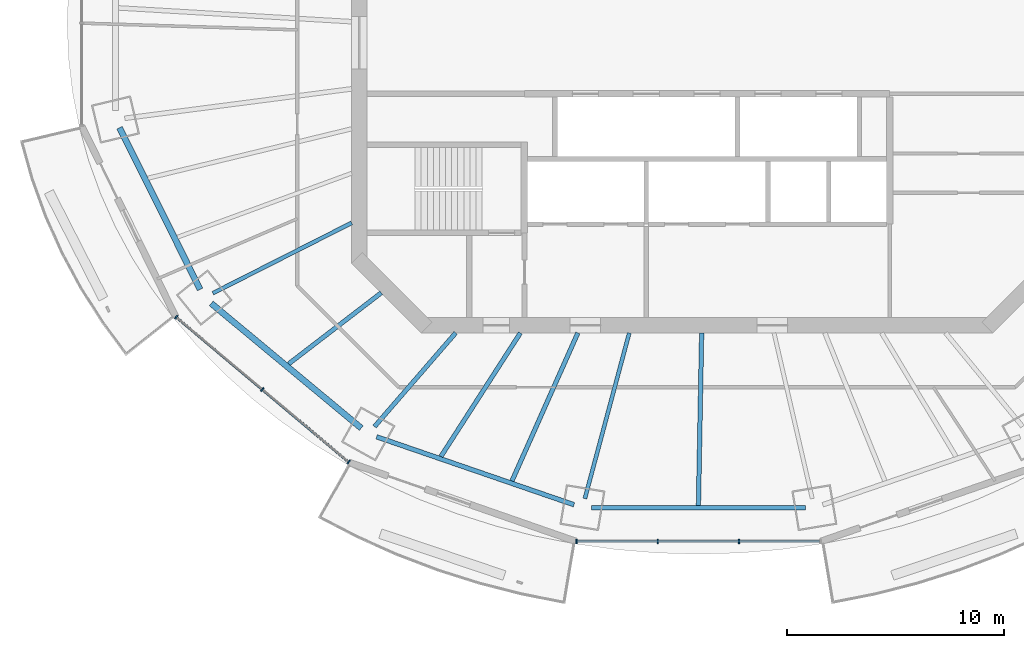
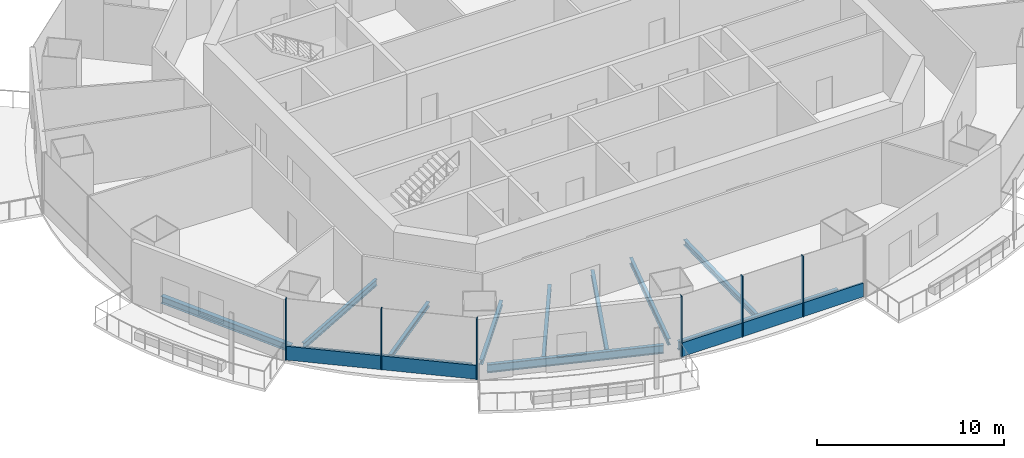
# One storey, part 2 of 16: 11 beams, 8 members, 2 elements without a shape of their own.
"""IFC4 building model written with IfcOpenShell, lengths in metres."""

from ifc_helpers import new_model, si_unit, direction, frame, origin, origin_2d, place, context, subcontext, project, spatial, rectangle, i_section, extrude, material, material_profile, profile_set, type_object, element, aggregate, save


model = new_model("IFC4")

# Units and contexts
model_context = context("Model", 3, precision=1e-05, world=origin(), true_north=direction((0.0, 1.0)))
body_context = subcontext(model_context, "Body", "Model", "MODEL_VIEW")
ifc_project = project(units=[si_unit("LENGTHUNIT", "METRE"), si_unit("AREAUNIT", "SQUARE_METRE"), si_unit("VOLUMEUNIT", "CUBIC_METRE"), si_unit("PLANEANGLEUNIT", "RADIAN"), si_unit("MASSUNIT", "GRAM", prefix="KILO")], contexts=[model_context])

# Site, building, storey
site_placement = place(None, origin())
site = spatial("IfcSite", under=ifc_project, at=site_placement, CompositionType="ELEMENT")
building_placement = place(site_placement, origin())
building = spatial("IfcBuilding", under=site, at=building_placement, Name="Marenthal Gate Tower", CompositionType="ELEMENT")
storey_placement = place(building_placement, frame((0.0, 0.0, 292.800048828125)))
storey = spatial("IfcBuildingStorey", under=building, at=storey_placement, Name="L65", CompositionType="ELEMENT", Elevation=292.800048828125)

# Curtain wall, members
ifc_material_1 = material(Name="Aluminium and glass", Category="aluminium")
curtain_wall_type = type_object("IfcCurtainWallType", Name="Curtain wall typical high", PredefinedType="NOTDEFINED", material=ifc_material_1)
curtain_wall_1_placement = place(storey_placement, origin())
curtain_wall_1 = element("IfcCurtainWall", 1, at=curtain_wall_1_placement, inside=storey, type_object=curtain_wall_type, Name="Curtain wall L65 bay 10", PredefinedType="NOTDEFINED")
ifc_material_2 = material(Name="Aluminium", Category="aluminium")
ifc_material_profile_1 = material_profile(ifc_material_2, rectangle(XDim=0.199951171875, YDim=0.06005859375, at=origin_2d()), Name="60x200 aluminium mullion")
ifc_profile_set_1 = profile_set([ifc_material_profile_1], Name="Aluminium")
member_type_1 = type_object("IfcMemberType", Name="Mullion 60x200 typical high", PredefinedType="MULLION", material=ifc_profile_set_1)
member_1_placement = place(storey_placement, frame((-24.42138671875, -12.621337890625, 0.0), z_axis=(0.0, 0.0, 1.0), x_axis=(0.643380191367, 0.76554681722, 0.0)))
member_1 = element("IfcMember", 2, at=member_1_placement, type_object=member_type_1, Name="Mullion L65 bay 10.1", PredefinedType="MULLION", context=body_context, shape_type="SweptSolid", body=[
    extrude(rectangle(XDim=0.199951171875, YDim=0.06005859375, at=origin_2d()), origin(), (0.0, 0.0, 1.0), 3.969970703125),
])
member_2_placement = place(storey_placement, frame((-20.455322265625, -15.95458984375, 0.0), z_axis=(0.0, 0.0, 1.0), x_axis=(0.643380191367, 0.76554681722, 0.0)))
member_2 = element("IfcMember", 3, at=member_2_placement, type_object=member_type_1, Name="Mullion L65 bay 10.2", PredefinedType="MULLION", context=body_context, shape_type="SweptSolid", body=[
    extrude(rectangle(XDim=0.199951171875, YDim=0.06005859375, at=origin_2d()), origin(), (0.0, 0.0, 1.0), 3.969970703125),
])
member_3_placement = place(storey_placement, frame((-16.489013671875, -19.287841796875, 0.0), z_axis=(0.0, 0.0, 1.0), x_axis=(0.643380191367, 0.76554681722, 0.0)))
member_3 = element("IfcMember", 4, at=member_3_placement, type_object=member_type_1, Name="Mullion L65 bay 10.3", PredefinedType="MULLION", context=body_context, shape_type="SweptSolid", body=[
    extrude(rectangle(XDim=0.199951171875, YDim=0.06005859375, at=origin_2d()), origin(), (0.0, 0.0, 1.0), 3.969970703125),
])

curtain_wall_2_placement = place(storey_placement, origin())
curtain_wall_2 = element("IfcCurtainWall", 5, at=curtain_wall_2_placement, inside=storey, type_object=curtain_wall_type, Name="Curtain wall L65 bay 12", PredefinedType="NOTDEFINED")
member_4_placement = place(storey_placement, frame((-6.01171875, -22.93603515625, 0.0), z_axis=(0.0, 0.0, 1.0), x_axis=(0.0, 1.0, 0.0)))
member_4 = element("IfcMember", 6, at=member_4_placement, type_object=member_type_1, Name="Mullion L65 bay 12.1", PredefinedType="MULLION", context=body_context, shape_type="SweptSolid", body=[
    extrude(rectangle(XDim=0.199951171875, YDim=0.06005859375, at=origin_2d()), origin(), (0.0, 0.0, 1.0), 3.969970703125),
])
member_5_placement = place(storey_placement, frame((-2.2705078125, -22.93603515625, 0.0), z_axis=(0.0, 0.0, 1.0), x_axis=(0.0, 1.0, 0.0)))
member_5 = element("IfcMember", 7, at=member_5_placement, type_object=member_type_1, Name="Mullion L65 bay 12.2", PredefinedType="MULLION", context=body_context, shape_type="SweptSolid", body=[
    extrude(rectangle(XDim=0.199951171875, YDim=0.06005859375, at=origin_2d()), origin(), (0.0, 0.0, 1.0), 3.969970703125),
])
member_6_placement = place(storey_placement, frame((1.470458984375, -22.93603515625, 0.0), z_axis=(0.0, 0.0, 1.0), x_axis=(0.0, 1.0, 0.0)))
member_6 = element("IfcMember", 8, at=member_6_placement, type_object=member_type_1, Name="Mullion L65 bay 12.3", PredefinedType="MULLION", context=body_context, shape_type="SweptSolid", body=[
    extrude(rectangle(XDim=0.199951171875, YDim=0.06005859375, at=origin_2d()), origin(), (0.0, 0.0, 1.0), 3.969970703125),
])

# Member
ifc_material_3 = material(Name="Aluminium", Category="aluminium")
ifc_material_profile_2 = material_profile(ifc_material_3, rectangle(XDim=0.1201171875, YDim=0.89990234375, at=origin_2d()), Name="120x900 aluminium transom")
ifc_profile_set_2 = profile_set([ifc_material_profile_2], Name="Aluminium")
member_type_2 = type_object("IfcMemberType", Name="Transom 120x900 typical high", PredefinedType="USERDEFINED", material=ifc_profile_set_2)
member_7_placement = place(storey_placement, frame((-24.3984375, -12.640625, 0.449951171875), z_axis=(0.765547508353, -0.643379368999, 0.0), x_axis=(0.643379368999, 0.765547508353, 0.0)))
member_7 = element("IfcMember", 9, at=member_7_placement, type_object=member_type_2, Name="Transom L65 bay 10", ObjectType="TRANSOM", PredefinedType="USERDEFINED", context=body_context, shape_type="SweptSolid", body=[
    extrude(rectangle(XDim=0.1201171875, YDim=0.89990234375, at=origin_2d()), origin(), (0.0, 0.0, 1.0), 10.3017578125),
])

aggregate(curtain_wall_1, [member_1, member_2, member_3, member_7])

member_8_placement = place(storey_placement, frame((-5.981689453125, -22.93603515625, 0.449951171875), z_axis=(1.0, 0.0, 0.0), x_axis=(0.0, 1.0, 0.0)))
member_8 = element("IfcMember", 10, at=member_8_placement, type_object=member_type_2, Name="Transom L65 bay 12", ObjectType="TRANSOM", PredefinedType="USERDEFINED", context=body_context, shape_type="SweptSolid", body=[
    extrude(rectangle(XDim=0.1201171875, YDim=0.89990234375, at=origin_2d()), origin(), (0.0, 0.0, 1.0), 11.163330078125),
])

aggregate(curtain_wall_2, [member_4, member_5, member_6, member_8])

# Beams
ifc_material_4 = material(Name="Steel S355", Category="steel")
ifc_material_profile_3 = material_profile(ifc_material_4, i_section(OverallWidth=0.202880859375, OverallDepth=0.302001953125, WebThickness=0.007568359375, FlangeThickness=0.01318359375, FilletRadius=0.0126953125, at=origin_2d()), Name="W310X60")
ifc_profile_set_3 = profile_set([ifc_material_profile_3], Name="Steel S355")
beam_type_1 = type_object("IfcBeamType", Name="W310X60 beam", PredefinedType="BEAM", material=ifc_profile_set_3)
beam_1_placement = place(storey_placement, frame((-19.24609375, -14.771728515625, -0.3310546875), z_axis=(0.793283258517, 0.608852750471, 0.0), x_axis=(-0.608852750471, 0.793283258517, 0.0)))
element("IfcBeam", 11, at=beam_1_placement, inside=storey, type_object=beam_type_1, Name="BM-L65-31", PredefinedType="BEAM", context=body_context, shape_type="SweptSolid", body=[
    extrude(i_section(OverallWidth=0.202880859375, OverallDepth=0.302001953125, WebThickness=0.007568359375, FlangeThickness=0.01318359375, FilletRadius=0.0126953125, at=origin_2d()), origin(), (0.0, 0.0, 1.0), 5.365234375),
])
ifc_material_5 = material(Name="Steel S355", Category="steel")
ifc_material_profile_4 = material_profile(ifc_material_5, i_section(OverallWidth=0.205078125, OverallDepth=0.31005859375, WebThickness=0.009521484375, FlangeThickness=0.016357421875, FilletRadius=0.0126953125, at=origin_2d()), Name="W310X74")
ifc_profile_set_4 = profile_set([ifc_material_profile_4], Name="Steel S355")
beam_type_2 = type_object("IfcBeamType", Name="W310X74 beam", PredefinedType="BEAM", material=ifc_profile_set_4)
beam_2_placement = place(storey_placement, frame((-15.296630859375, -17.656982421875, -0.3349609375), z_axis=(0.654786987861, 0.755813469401, 0.0), x_axis=(-0.755813469401, 0.654786987861, 0.0)))
element("IfcBeam", 12, at=beam_2_placement, inside=storey, type_object=beam_type_2, Name="BM-L65-11", PredefinedType="BEAM", context=body_context, shape_type="SweptSolid", body=[
    extrude(i_section(OverallWidth=0.205078125, OverallDepth=0.31005859375, WebThickness=0.009521484375, FlangeThickness=0.016357421875, FilletRadius=0.0126953125, at=origin_2d()), origin(), (0.0, 0.0, 1.0), 5.6982421875),
])
beam_3_placement = place(storey_placement, frame((-12.244140625, -19.03271484375, -0.3349609375), z_axis=(0.541035136328, 0.840999988858, 0.0), x_axis=(-0.840999988858, 0.541035136328, 0.0)))
element("IfcBeam", 13, at=beam_3_placement, inside=storey, type_object=beam_type_2, Name="BM-L65-32", PredefinedType="BEAM", context=body_context, shape_type="SweptSolid", body=[
    extrude(i_section(OverallWidth=0.205078125, OverallDepth=0.31005859375, WebThickness=0.009521484375, FlangeThickness=0.016357421875, FilletRadius=0.0126953125, at=origin_2d()), origin(), (0.0, 0.0, 1.0), 6.757080078125),
])
ifc_material_6 = material(Name="Steel S355", Category="steel")
ifc_material_profile_5 = material_profile(ifc_material_6, i_section(OverallWidth=0.205078125, OverallDepth=0.35302734375, WebThickness=0.009521484375, FlangeThickness=0.016845703125, FilletRadius=0.014892578125, at=origin_2d()), Name="W360X79")
ifc_profile_set_5 = profile_set([ifc_material_profile_5], Name="Steel S355")
beam_type_3 = type_object("IfcBeamType", Name="W360X79 beam", PredefinedType="BEAM", material=ifc_profile_set_5)
beam_4_placement = place(storey_placement, frame((-8.97509765625, -20.158203125, -0.3564453125), z_axis=(0.406746290915, 0.913541162087, 0.0), x_axis=(-0.913541162087, 0.406746290915, 0.0)))
element("IfcBeam", 14, at=beam_4_placement, inside=storey, type_object=beam_type_3, Name="BM-L65-33", PredefinedType="BEAM", context=body_context, shape_type="SweptSolid", body=[
    extrude(i_section(OverallWidth=0.205078125, OverallDepth=0.35302734375, WebThickness=0.009521484375, FlangeThickness=0.016845703125, FilletRadius=0.014892578125, at=origin_2d()), origin(), (0.0, 0.0, 1.0), 7.452392578125),
])
beam_5_placement = place(storey_placement, frame((-0.39794921875, -21.280517578125, -0.3564453125), z_axis=(0.018683435883, 0.999825449378, 0.0), x_axis=(-0.999825449378, 0.018683435883, 0.0)))
element("IfcBeam", 15, at=beam_5_placement, inside=storey, type_object=beam_type_3, Name="BM-L65-34", PredefinedType="BEAM", context=body_context, shape_type="SweptSolid", body=[
    extrude(i_section(OverallWidth=0.205078125, OverallDepth=0.35302734375, WebThickness=0.009521484375, FlangeThickness=0.016845703125, FilletRadius=0.014892578125, at=origin_2d()), origin(), (0.0, 0.0, 1.0), 7.931884765625),
])
ifc_material_7 = material(Name="Steel S355", Category="steel")
ifc_material_profile_6 = material_profile(ifc_material_7, i_section(OverallWidth=0.180908203125, OverallDepth=0.4169921875, WebThickness=0.010986328125, FlangeThickness=0.018310546875, FilletRadius=0.01025390625, at=origin_2d()), Name="W410X85")
ifc_profile_set_6 = profile_set([ifc_material_profile_6], Name="Steel S355")
beam_type_4 = type_object("IfcBeamType", Name="W410X85 beam", PredefinedType="BEAM", material=ifc_profile_set_6)
beam_6_placement = place(storey_placement, frame((-22.7333984375, -11.52294921875, -0.388427734375), z_axis=(0.891957457123, 0.452119336772, 0.0), x_axis=(-0.452119336772, 0.891957457123, 0.0)))
element("IfcBeam", 16, at=beam_6_placement, inside=storey, type_object=beam_type_4, Name="BM-L65-10", PredefinedType="BEAM", context=body_context, shape_type="SweptSolid", body=[
    extrude(i_section(OverallWidth=0.180908203125, OverallDepth=0.4169921875, WebThickness=0.010986328125, FlangeThickness=0.018310546875, FilletRadius=0.01025390625, at=origin_2d()), origin(), (0.0, 0.0, 1.0), 7.156494140625),
])
beam_7_placement = place(storey_placement, frame((-5.622314453125, -20.971435546875, -0.388427734375), z_axis=(0.258946932177, 0.965891549977, 0.0), x_axis=(-0.965891549977, 0.258946932177, 0.0)))
element("IfcBeam", 17, at=beam_7_placement, inside=storey, type_object=beam_type_4, Name="BM-L65-12", PredefinedType="BEAM", context=body_context, shape_type="SweptSolid", body=[
    extrude(i_section(OverallWidth=0.180908203125, OverallDepth=0.4169921875, WebThickness=0.010986328125, FlangeThickness=0.018310546875, FilletRadius=0.01025390625, at=origin_2d()), origin(), (0.0, 0.0, 1.0), 7.890380859375),
])
ifc_material_8 = material(Name="Steel S355", Category="steel")
ifc_material_profile_7 = material_profile(ifc_material_8, i_section(OverallWidth=0.279052734375, OverallDepth=0.4619140625, WebThickness=0.0107421875, FlangeThickness=0.017333984375, FilletRadius=0.010009765625, at=origin_2d()), Name="W460X113")
ifc_profile_set_7 = profile_set([ifc_material_profile_7], Name="Steel S355")
beam_type_5 = type_object("IfcBeamType", Name="W460X113 beam", PredefinedType="BEAM", material=ifc_profile_set_7)
beam_8_placement = place(storey_placement, frame((-27.023681640625, -3.912353515625, -0.4111328125), z_axis=(0.446025836929, -0.895020085133, 0.0), x_axis=(0.895020085133, 0.446025836929, 0.0)))
element("IfcBeam", 18, at=beam_8_placement, inside=storey, type_object=beam_type_5, Name="BM-L65-49", PredefinedType="BEAM", context=body_context, shape_type="SweptSolid", body=[
    extrude(i_section(OverallWidth=0.279052734375, OverallDepth=0.4619140625, WebThickness=0.0107421875, FlangeThickness=0.017333984375, FilletRadius=0.010009765625, at=origin_2d()), origin(), (0.0, 0.0, 1.0), 8.306884765625),
])
beam_9_placement = place(storey_placement, frame((-22.80908203125, -11.99169921875, -0.4111328125), z_axis=(0.769034611426, -0.639207138906, 0.0), x_axis=(0.639207138906, 0.769034611426, 0.0)))
element("IfcBeam", 19, at=beam_9_placement, inside=storey, type_object=beam_type_5, Name="BM-L65-50", PredefinedType="BEAM", context=body_context, shape_type="SweptSolid", body=[
    extrude(i_section(OverallWidth=0.279052734375, OverallDepth=0.4619140625, WebThickness=0.0107421875, FlangeThickness=0.017333984375, FilletRadius=0.010009765625, at=origin_2d()), origin(), (0.0, 0.0, 1.0), 8.9736328125),
])
ifc_material_9 = material(Name="Steel S355", Category="steel")
ifc_material_profile_8 = material_profile(ifc_material_9, i_section(OverallWidth=0.2119140625, OverallDepth=0.5439453125, WebThickness=0.01318359375, FlangeThickness=0.021240234375, FilletRadius=0.0126953125, at=origin_2d()), Name="W530X123")
ifc_profile_set_8 = profile_set([ifc_material_profile_8], Name="Steel S355")
beam_type_6 = type_object("IfcBeamType", Name="W530X123 beam", PredefinedType="BEAM", material=ifc_profile_set_8)
beam_10_placement = place(storey_placement, frame((-15.19677734375, -18.128173828125, -0.4521484375), z_axis=(0.945528342473, -0.325539788013, 0.0), x_axis=(0.325539788013, 0.945528342473, 0.0)))
element("IfcBeam", 20, at=beam_10_placement, inside=storey, type_object=beam_type_6, Name="BM-L65-51", PredefinedType="BEAM", context=body_context, shape_type="SweptSolid", body=[
    extrude(i_section(OverallWidth=0.2119140625, OverallDepth=0.5439453125, WebThickness=0.01318359375, FlangeThickness=0.021240234375, FilletRadius=0.0126953125, at=origin_2d()), origin(), (0.0, 0.0, 1.0), 9.595703125),
])
beam_11_placement = place(storey_placement, frame((-5.3212890625, -21.386474609375, -0.4521484375), z_axis=(1.0, 0.0, 0.0), x_axis=(0.0, 1.0, 0.0)))
element("IfcBeam", 21, at=beam_11_placement, inside=storey, type_object=beam_type_6, Name="BM-L65-52", PredefinedType="BEAM", context=body_context, shape_type="SweptSolid", body=[
    extrude(i_section(OverallWidth=0.2119140625, OverallDepth=0.5439453125, WebThickness=0.01318359375, FlangeThickness=0.021240234375, FilletRadius=0.0126953125, at=origin_2d()), origin(), (0.0, 0.0, 1.0), 9.842529296875),
])

save(model, "model.ifc")
